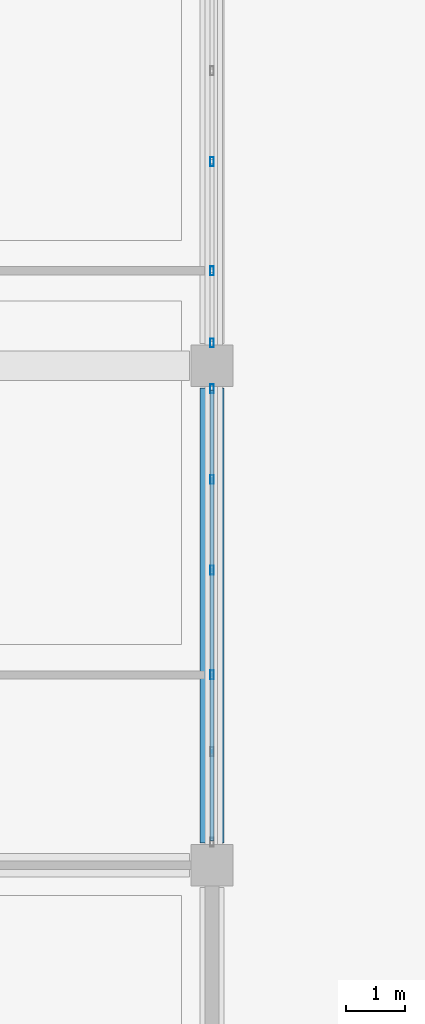
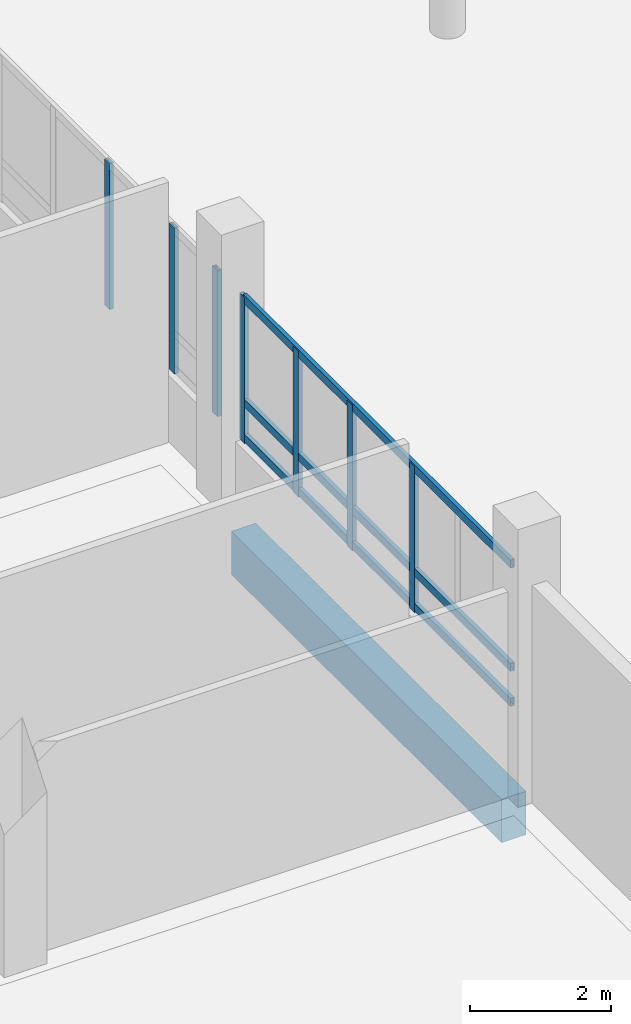
# One storey, part 42 of 95: 10 members, 1 beam, 2 elements without a shape of their own.
"""IFC4 building model written with IfcOpenShell, lengths in metres."""

from ifc_helpers import new_model, si_unit, direction, frame, origin, origin_2d, place, context, subcontext, project, spatial, rectangle, hollow_rectangle, extrude, material, layer, layer_set, material_profile, profile_set, type_object, element, aggregate, save


model = new_model("IFC4")

# Units and contexts
model_context = context("Model", 3, precision=1e-05, world=origin(), true_north=direction((0.0, 1.0)))
body_context = subcontext(model_context, "Body", "Model", "MODEL_VIEW")
ifc_project = project(units=[si_unit("LENGTHUNIT", "METRE"), si_unit("AREAUNIT", "SQUARE_METRE"), si_unit("VOLUMEUNIT", "CUBIC_METRE"), si_unit("PLANEANGLEUNIT", "RADIAN"), si_unit("MASSUNIT", "GRAM", prefix="KILO")], contexts=[model_context])

# Site, building, storey
site_placement = place(None, origin())
site = spatial("IfcSite", under=ifc_project, at=site_placement, CompositionType="ELEMENT")
building_placement = place(site_placement, origin())
building = spatial("IfcBuilding", under=site, at=building_placement, Name="Vireocrest Preparatory School", CompositionType="ELEMENT")
storey_placement = place(building_placement, origin())
storey = spatial("IfcBuildingStorey", under=building, at=storey_placement, Name="L00", CompositionType="ELEMENT", Elevation=0.0)

# Curtain wall, members
ifc_material_1 = material(Name="Thermally broken aluminium EN AW-6063-T6", Category="aluminium")
ifc_layer = layer(ifc_material_1, 0.179931640625)
ifc_layer_set = layer_set([ifc_layer], Name="Thermally broken aluminium EN AW-6063-T6")
curtain_wall_type = type_object("IfcCurtainWallType", Name="Court Banded Curtain Wall 8400x3600", PredefinedType="USERDEFINED", material=ifc_layer_set)
curtain_wall_1_placement = place(storey_placement, origin())
curtain_wall_1 = element("IfcCurtainWall", 1, at=curtain_wall_1_placement, inside=storey, type_object=curtain_wall_type, Name="Curtain Wall CW01 CW_L00_CW01_0672_0609_012", ObjectType="CURTAIN WALL", PredefinedType="USERDEFINED")
ifc_material_profile_1 = material_profile(ifc_material_1, hollow_rectangle(XDim=0.06494140625, YDim=0.14990234375, WallThickness=0.00390625, at=origin_2d()), Name="ALU 65x150x4")
ifc_profile_set_1 = profile_set([ifc_material_profile_1], Name="Thermally broken aluminium EN AW-6063-T6")
member_type_1 = type_object("IfcMemberType", Name="CW Mullion 65x150x4", PredefinedType="MULLION", material=ifc_profile_set_1)
member_1_placement = place(storey_placement, frame((67.199951171875, 63.800048828125, 1.14990234375), z_axis=(0.0, 0.0, 1.0), x_axis=(1.0, 0.0, 0.0)))
member_1 = element("IfcMember", 2, at=member_1_placement, type_object=member_type_1, Name="CW Mullion ML1 CW_L00_CW01_0672_0609_012-3", PredefinedType="MULLION", context=body_context, shape_type="SweptSolid", body=[
    extrude(hollow_rectangle(XDim=0.06494140625, YDim=0.14990234375, WallThickness=0.00390625, at=origin_2d()), origin(), (0.0, 0.0, 1.0), 2.525146484375),
])
member_2_placement = place(storey_placement, frame((67.199951171875, 65.56298828125, 1.14990234375), z_axis=(0.0, 0.0, 1.0), x_axis=(1.0, 0.0, 0.0)))
member_2 = element("IfcMember", 3, at=member_2_placement, type_object=member_type_1, Name="CW Mullion ML1 CW_L00_CW01_0672_0609_012-4", PredefinedType="MULLION", context=body_context, shape_type="SweptSolid", body=[
    extrude(hollow_rectangle(XDim=0.06494140625, YDim=0.14990234375, WallThickness=0.00390625, at=origin_2d()), origin(), (0.0, 0.0, 1.0), 2.525146484375),
])
member_3_placement = place(storey_placement, frame((67.199951171875, 67.089111328125, 1.14990234375), z_axis=(0.0, 0.0, 1.0), x_axis=(1.0, 0.0, 0.0)))
member_3 = element("IfcMember", 4, at=member_3_placement, type_object=member_type_1, Name="CW Mullion ML1 CW_L00_CW01_0672_0609_012-5", PredefinedType="MULLION", context=body_context, shape_type="SweptSolid", body=[
    extrude(hollow_rectangle(XDim=0.06494140625, YDim=0.14990234375, WallThickness=0.00390625, at=origin_2d()), origin(), (0.0, 0.0, 1.0), 2.525146484375),
])
member_4_placement = place(storey_placement, frame((67.199951171875, 68.614990234375, 1.14990234375), z_axis=(0.0, 0.0, 1.0), x_axis=(1.0, 0.0, 0.0)))
member_4 = element("IfcMember", 5, at=member_4_placement, type_object=member_type_1, Name="CW Mullion ML1 CW_L00_CW01_0672_0609_012-6", PredefinedType="MULLION", context=body_context, shape_type="SweptSolid", body=[
    extrude(hollow_rectangle(XDim=0.06494140625, YDim=0.14990234375, WallThickness=0.00390625, at=origin_2d()), origin(), (0.0, 0.0, 1.0), 2.525146484375),
])

curtain_wall_2_placement = place(storey_placement, origin())
curtain_wall_2 = element("IfcCurtainWall", 6, at=curtain_wall_2_placement, inside=storey, type_object=curtain_wall_type, Name="Curtain Wall CW01 CW_L00_CW01_0672_0693_012", ObjectType="CURTAIN WALL", PredefinedType="USERDEFINED")
member_5_placement = place(storey_placement, frame((67.199951171875, 69.385009765625, 1.14990234375), z_axis=(0.0, 0.0, 1.0), x_axis=(1.0, 0.0, 0.0)))
member_5 = element("IfcMember", 7, at=member_5_placement, type_object=member_type_1, Name="CW Mullion ML1 CW_L00_CW01_0672_0693_012-1", PredefinedType="MULLION", context=body_context, shape_type="SweptSolid", body=[
    extrude(hollow_rectangle(XDim=0.06494140625, YDim=0.14990234375, WallThickness=0.00390625, at=origin_2d()), origin(), (0.0, 0.0, 1.0), 2.525146484375),
])
member_6_placement = place(storey_placement, frame((67.199951171875, 70.60009765625, 1.14990234375), z_axis=(0.0, 0.0, 1.0), x_axis=(1.0, 0.0, 0.0)))
member_6 = element("IfcMember", 8, at=member_6_placement, type_object=member_type_1, Name="CW Mullion ML1 CW_L00_CW01_0672_0693_012-2", PredefinedType="MULLION", context=body_context, shape_type="SweptSolid", body=[
    extrude(hollow_rectangle(XDim=0.06494140625, YDim=0.14990234375, WallThickness=0.00390625, at=origin_2d()), origin(), (0.0, 0.0, 1.0), 2.525146484375),
])
member_7_placement = place(storey_placement, frame((67.199951171875, 72.43701171875, 1.14990234375), z_axis=(0.0, 0.0, 1.0), x_axis=(1.0, 0.0, 0.0)))
member_7 = element("IfcMember", 9, at=member_7_placement, type_object=member_type_1, Name="CW Mullion ML1 CW_L00_CW01_0672_0693_012-3", PredefinedType="MULLION", context=body_context, shape_type="SweptSolid", body=[
    extrude(hollow_rectangle(XDim=0.06494140625, YDim=0.14990234375, WallThickness=0.00390625, at=origin_2d()), origin(), (0.0, 0.0, 1.0), 2.525146484375),
])
aggregate(curtain_wall_2, [member_5, member_6, member_7])

# Member
ifc_material_profile_2 = material_profile(ifc_material_1, hollow_rectangle(XDim=0.06494140625, YDim=0.139892578125, WallThickness=0.00390625, at=origin_2d()), Name="ALU 65x140x4")
ifc_profile_set_2 = profile_set([ifc_material_profile_2], Name="Thermally broken aluminium EN AW-6063-T6")
member_type_2 = type_object("IfcMemberType", Name="CW Transom 65x140x4", PredefinedType="USERDEFINED", material=ifc_profile_set_2)
member_8_placement = place(storey_placement, frame((67.199951171875, 61.010009765625, 1.2451171875), z_axis=(0.0, 1.0, 0.0), x_axis=(-1.0, 0.0, 0.0)))
member_8 = element("IfcMember", 10, at=member_8_placement, type_object=member_type_2, Name="CW Transom TR1 CW_L00_CW01_0672_0609_012-1", ObjectType="TRANSOM", PredefinedType="USERDEFINED", context=body_context, shape_type="SweptSolid", body=[
    extrude(hollow_rectangle(XDim=0.06494140625, YDim=0.139892578125, WallThickness=0.00390625, at=origin_2d()), origin(), (0.0, 0.0, 1.0), 7.580078125),
])

member_9_placement = place(storey_placement, frame((67.199951171875, 61.010009765625, 1.85009765625), z_axis=(0.0, 1.0, 0.0), x_axis=(-1.0, 0.0, 0.0)))
member_9 = element("IfcMember", 11, at=member_9_placement, type_object=member_type_2, Name="CW Transom TR1 CW_L00_CW01_0672_0609_012-2", ObjectType="TRANSOM", PredefinedType="USERDEFINED", context=body_context, shape_type="SweptSolid", body=[
    extrude(hollow_rectangle(XDim=0.06494140625, YDim=0.139892578125, WallThickness=0.00390625, at=origin_2d()), origin(), (0.0, 0.0, 1.0), 7.580078125),
])

member_10_placement = place(storey_placement, frame((67.199951171875, 61.010009765625, 3.635009765625), z_axis=(0.0, 1.0, 0.0), x_axis=(-1.0, 0.0, 0.0)))
member_10 = element("IfcMember", 12, at=member_10_placement, type_object=member_type_2, Name="CW Transom TR1 CW_L00_CW01_0672_0609_012-3", ObjectType="TRANSOM", PredefinedType="USERDEFINED", context=body_context, shape_type="SweptSolid", body=[
    extrude(hollow_rectangle(XDim=0.06494140625, YDim=0.139892578125, WallThickness=0.00390625, at=origin_2d()), origin(), (0.0, 0.0, 1.0), 7.580078125),
])

aggregate(curtain_wall_1, [member_1, member_2, member_3, member_4, member_8, member_9, member_10])

# Beam
ifc_material_2 = material(Name="Concrete 40 MPa", Category="concrete")
ifc_material_profile_3 = material_profile(ifc_material_2, rectangle(XDim=0.39990234375, YDim=0.75, at=origin_2d()), Name="RC 400x750")
ifc_profile_set_3 = profile_set([ifc_material_profile_3], Name="Concrete 40 MPa")
beam_type = type_object("IfcBeamType", Name="RC Commons Girder 400x750", PredefinedType="BEAM", material=ifc_profile_set_3)
beam_placement = place(storey_placement, frame((67.199951171875, 60.97509765625, -0.72509765625), z_axis=(0.0, 1.0, 0.0), x_axis=(-1.0, 0.0, 0.0)))
element("IfcBeam", 13, at=beam_placement, inside=storey, type_object=beam_type, Name="Primary Girder B09 L00-0182", PredefinedType="BEAM", context=body_context, shape_type="SweptSolid", body=[
    extrude(rectangle(XDim=0.39990234375, YDim=0.75, at=origin_2d()), origin(), (0.0, 0.0, 1.0), 7.64990234375),
])

save(model, "model.ifc")
